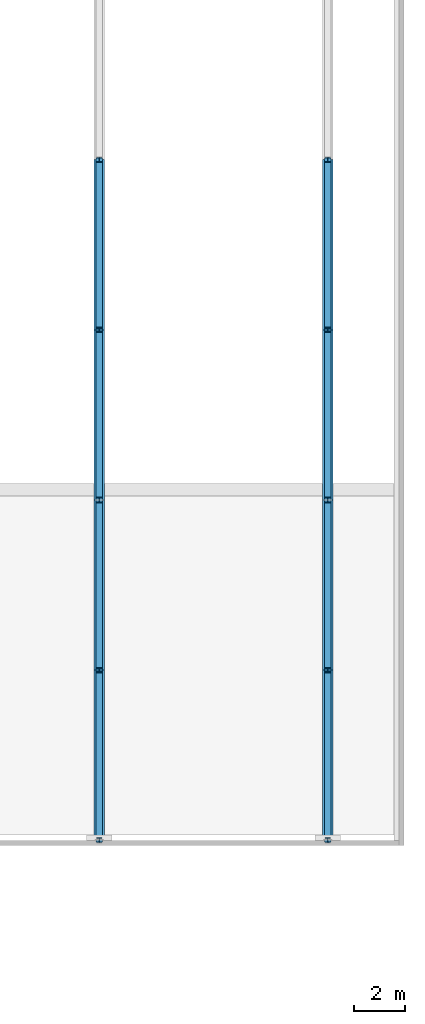
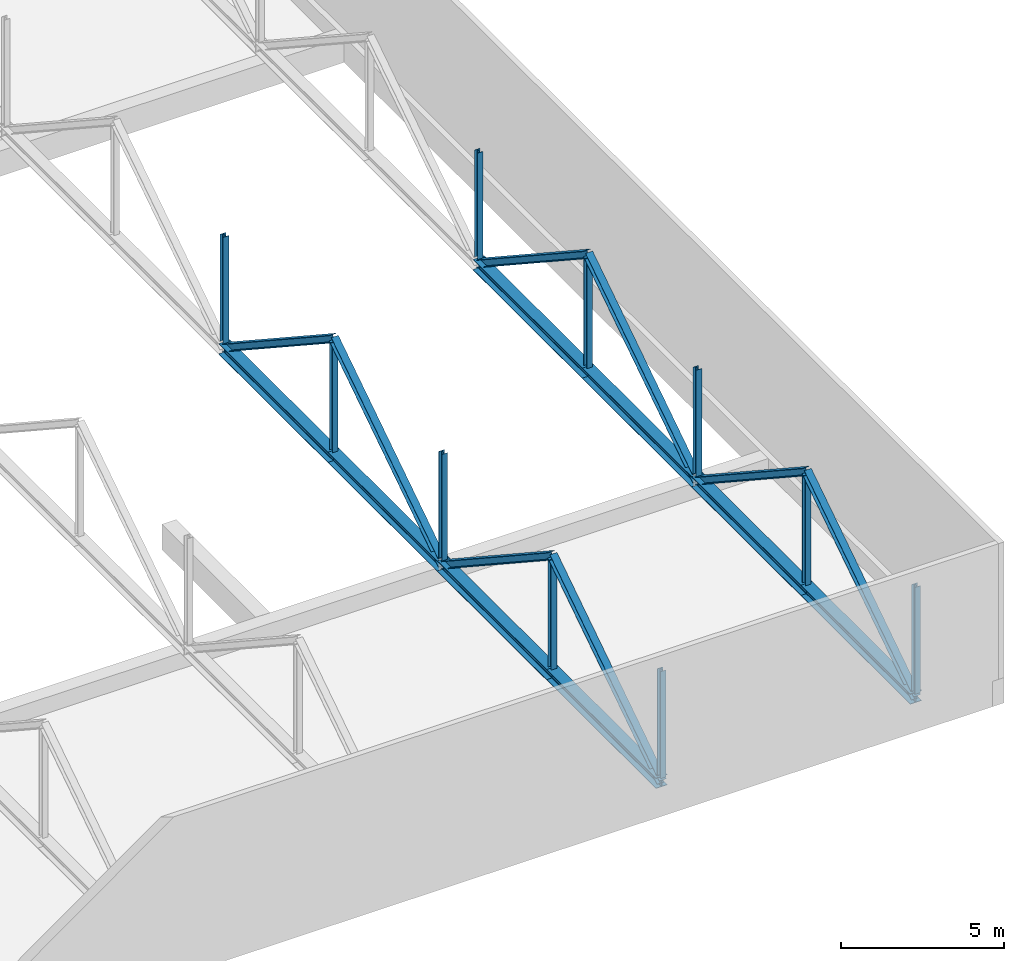
# One storey, part 15 of 49: 26 members.
"""IFC4 building model written with IfcOpenShell, lengths in metres."""

from ifc_helpers import new_model, si_unit, direction, frame, origin, origin_2d, place, context, subcontext, project, spatial, i_section, extrude, material, material_profile, profile_set, type_object, element, save


model = new_model("IFC4")

# Units and contexts
model_context = context("Model", 3, precision=1e-05, world=origin(), true_north=direction((0.0, 1.0)))
body_context = subcontext(model_context, "Body", "Model", "MODEL_VIEW")
ifc_project = project(units=[si_unit("LENGTHUNIT", "METRE"), si_unit("AREAUNIT", "SQUARE_METRE"), si_unit("VOLUMEUNIT", "CUBIC_METRE"), si_unit("PLANEANGLEUNIT", "RADIAN"), si_unit("MASSUNIT", "GRAM", prefix="KILO")], contexts=[model_context])

# Site, building, storey
site_placement = place(None, origin())
site = spatial("IfcSite", under=ifc_project, at=site_placement, CompositionType="ELEMENT")
building_placement = place(site_placement, origin())
building = spatial("IfcBuilding", under=site, at=building_placement, Name="Hunhe Ridgeline Campus", CompositionType="ELEMENT")
storey_placement = place(building_placement, frame((0.0, 0.0, 21.60009765625)))
storey = spatial("IfcBuildingStorey", under=building, at=storey_placement, Name="L04", CompositionType="ELEMENT", Elevation=21.60009765625)

# Members
ifc_material = material(Name="Steel Q355", Category="steel")
ifc_material_profile_1 = material_profile(ifc_material, i_section(OverallWidth=0.39990234375, OverallDepth=0.39990234375, WebThickness=0.012939453125, FlangeThickness=0.02099609375, FilletRadius=0.02197265625, at=origin_2d()))
ifc_profile_set_1 = profile_set([ifc_material_profile_1], Name="Steel Q355")
member_type_1 = type_object("IfcMemberType", Name="Roof truss chord HW400x400x13x21 Q355", PredefinedType="CHORD", material=ifc_profile_set_1)
member_1_placement = place(storey_placement, frame((198.0, 22.699951171875, 0.789794921875), z_axis=(0.0, 1.0, 0.0), x_axis=(-1.0, 0.0, 0.0)))
element("IfcMember", 1, at=member_1_placement, inside=storey, type_object=member_type_1, Name="Roof truss 6 bottom chord 1", PredefinedType="CHORD", context=body_context, shape_type="SweptSolid", body=[
    extrude(i_section(OverallWidth=0.39990234375, OverallDepth=0.39990234375, WebThickness=0.012939453125, FlangeThickness=0.02099609375, FilletRadius=0.02197265625, at=origin_2d()), origin(), (0.0, 0.0, 1.0), 6.699951171875),
])
member_2_placement = place(storey_placement, frame((198.0, 29.39990234375, 0.789794921875), z_axis=(0.0, 1.0, 0.0), x_axis=(-1.0, 0.0, 0.0)))
element("IfcMember", 2, at=member_2_placement, inside=storey, type_object=member_type_1, Name="Roof truss 6 bottom chord 2", PredefinedType="CHORD", context=body_context, shape_type="SweptSolid", body=[
    extrude(i_section(OverallWidth=0.39990234375, OverallDepth=0.39990234375, WebThickness=0.012939453125, FlangeThickness=0.02099609375, FilletRadius=0.02197265625, at=origin_2d()), origin(), (0.0, 0.0, 1.0), 6.7001953125),
])
for number, where, z_axis, x_axis, name in (
    (3, (198.0, 36.10009765625, 0.789794921875), (0.0, 1.0, 0.0), (-1.0, 0.0, 0.0), "Roof truss 6 bottom chord 3"),
    (4, (198.0, 42.800048828125, 0.789794921875), (0.0, 1.0, 0.0), (-1.0, 0.0, 0.0), "Roof truss 6 bottom chord 4"),
    (5, (207.0, 22.699951171875, 0.789794921875), (0.0, 1.0, 0.0), (-1.0, 0.0, 0.0), "Roof truss 7 bottom chord 1"),
):
    element("IfcMember", number, at=place(storey_placement, frame(where, z_axis=z_axis, x_axis=x_axis)), inside=storey, type_object=member_type_1, Name=name, PredefinedType="CHORD", context=body_context, shape_type="SweptSolid", body=[
        extrude(i_section(OverallWidth=0.39990234375, OverallDepth=0.39990234375, WebThickness=0.012939453125, FlangeThickness=0.02099609375, FilletRadius=0.02197265625, at=origin_2d()), origin(), (0.0, 0.0, 1.0), 6.699951171875),
    ])
member_3_placement = place(storey_placement, frame((207.0, 29.39990234375, 0.789794921875), z_axis=(0.0, 1.0, 0.0), x_axis=(-1.0, 0.0, 0.0)))
element("IfcMember", 6, at=member_3_placement, inside=storey, type_object=member_type_1, Name="Roof truss 7 bottom chord 2", PredefinedType="CHORD", context=body_context, shape_type="SweptSolid", body=[
    extrude(i_section(OverallWidth=0.39990234375, OverallDepth=0.39990234375, WebThickness=0.012939453125, FlangeThickness=0.02099609375, FilletRadius=0.02197265625, at=origin_2d()), origin(), (0.0, 0.0, 1.0), 6.7001953125),
])
for number, where, z_axis, x_axis, name in (
    (7, (207.0, 36.10009765625, 0.789794921875), (0.0, 1.0, 0.0), (-1.0, 0.0, 0.0), "Roof truss 7 bottom chord 3"),
    (8, (207.0, 42.800048828125, 0.789794921875), (0.0, 1.0, 0.0), (-1.0, 0.0, 0.0), "Roof truss 7 bottom chord 4"),
):
    element("IfcMember", number, at=place(storey_placement, frame(where, z_axis=z_axis, x_axis=x_axis)), inside=storey, type_object=member_type_1, Name=name, PredefinedType="CHORD", context=body_context, shape_type="SweptSolid", body=[
        extrude(i_section(OverallWidth=0.39990234375, OverallDepth=0.39990234375, WebThickness=0.012939453125, FlangeThickness=0.02099609375, FilletRadius=0.02197265625, at=origin_2d()), origin(), (0.0, 0.0, 1.0), 6.699951171875),
    ])
ifc_material_profile_2 = material_profile(ifc_material, i_section(OverallWidth=0.25, OverallDepth=0.25, WebThickness=0.009033203125, FlangeThickness=0.013916015625, FilletRadius=0.012939453125, at=origin_2d()))
ifc_profile_set_2 = profile_set([ifc_material_profile_2], Name="Steel Q355")
member_type_2 = type_object("IfcMemberType", Name="Roof truss diagonal HW250x250x9x14 Q355", PredefinedType="BRACE", material=ifc_profile_set_2)
member_4_placement = place(storey_placement, frame((198.0, 22.699951171875, 0.789794921875), z_axis=(0.0, 0.835858813721, 0.548944481277), x_axis=(-1.0, 0.0, 0.0)))
element("IfcMember", 9, at=member_4_placement, inside=storey, type_object=member_type_2, Name="Roof truss 6 diagonal 1", PredefinedType="BRACE", context=body_context, shape_type="SweptSolid", body=[
    extrude(i_section(OverallWidth=0.25, OverallDepth=0.25, WebThickness=0.009033203125, FlangeThickness=0.013916015625, FilletRadius=0.012939453125, at=origin_2d()), origin(), (0.0, 0.0, 1.0), 8.015625),
])
member_5_placement = place(storey_placement, frame((198.0, 29.39990234375, 5.18994140625), z_axis=(0.0, 0.835867991585, -0.548930506207), x_axis=(-1.0, 0.0, 0.0)))
element("IfcMember", 10, at=member_5_placement, inside=storey, type_object=member_type_2, Name="Roof truss 6 diagonal 2", PredefinedType="BRACE", context=body_context, shape_type="SweptSolid", body=[
    extrude(i_section(OverallWidth=0.25, OverallDepth=0.25, WebThickness=0.009033203125, FlangeThickness=0.013916015625, FilletRadius=0.012939453125, at=origin_2d()), origin(), (0.0, 0.0, 1.0), 8.015869140625),
])
for number, where, z_axis, x_axis, name in (
    (11, (198.0, 36.10009765625, 0.789794921875), (0.0, 0.835858813721, 0.548944481277), (-1.0, 0.0, 0.0), "Roof truss 6 diagonal 3"),
    (12, (198.0, 42.800048828125, 5.18994140625), (0.0, 0.835858813721, -0.548944481277), (-1.0, 0.0, 0.0), "Roof truss 6 diagonal 4"),
    (13, (207.0, 22.699951171875, 0.789794921875), (0.0, 0.835858813721, 0.548944481277), (-1.0, 0.0, 0.0), "Roof truss 7 diagonal 1"),
):
    element("IfcMember", number, at=place(storey_placement, frame(where, z_axis=z_axis, x_axis=x_axis)), inside=storey, type_object=member_type_2, Name=name, PredefinedType="BRACE", context=body_context, shape_type="SweptSolid", body=[
        extrude(i_section(OverallWidth=0.25, OverallDepth=0.25, WebThickness=0.009033203125, FlangeThickness=0.013916015625, FilletRadius=0.012939453125, at=origin_2d()), origin(), (0.0, 0.0, 1.0), 8.015625),
    ])
member_6_placement = place(storey_placement, frame((207.0, 29.39990234375, 5.18994140625), z_axis=(0.0, 0.835867991585, -0.548930506207), x_axis=(-1.0, 0.0, 0.0)))
element("IfcMember", 14, at=member_6_placement, inside=storey, type_object=member_type_2, Name="Roof truss 7 diagonal 2", PredefinedType="BRACE", context=body_context, shape_type="SweptSolid", body=[
    extrude(i_section(OverallWidth=0.25, OverallDepth=0.25, WebThickness=0.009033203125, FlangeThickness=0.013916015625, FilletRadius=0.012939453125, at=origin_2d()), origin(), (0.0, 0.0, 1.0), 8.015869140625),
])
for number, where, z_axis, x_axis, name in (
    (15, (207.0, 36.10009765625, 0.789794921875), (0.0, 0.835858813721, 0.548944481277), (-1.0, 0.0, 0.0), "Roof truss 7 diagonal 3"),
    (16, (207.0, 42.800048828125, 5.18994140625), (0.0, 0.835858813721, -0.548944481277), (-1.0, 0.0, 0.0), "Roof truss 7 diagonal 4"),
):
    element("IfcMember", number, at=place(storey_placement, frame(where, z_axis=z_axis, x_axis=x_axis)), inside=storey, type_object=member_type_2, Name=name, PredefinedType="BRACE", context=body_context, shape_type="SweptSolid", body=[
        extrude(i_section(OverallWidth=0.25, OverallDepth=0.25, WebThickness=0.009033203125, FlangeThickness=0.013916015625, FilletRadius=0.012939453125, at=origin_2d()), origin(), (0.0, 0.0, 1.0), 8.015625),
    ])
ifc_material_profile_3 = material_profile(ifc_material, i_section(OverallWidth=0.199951171875, OverallDepth=0.199951171875, WebThickness=0.008056640625, FlangeThickness=0.011962890625, FilletRadius=0.012939453125, at=origin_2d()))
ifc_profile_set_3 = profile_set([ifc_material_profile_3], Name="Steel Q355")
member_type_3 = type_object("IfcMemberType", Name="Roof truss post HW200x200x8x12 Q355", PredefinedType="POST", material=ifc_profile_set_3)
for number, where, z_axis, x_axis, name in (
    (17, (198.0, 22.699951171875, 0.989990234375), (0.0, 0.0, 1.0), (1.0, 0.0, 0.0), "Roof truss 6 post 0"),
    (18, (198.0, 29.39990234375, 0.989990234375), (0.0, 0.0, 1.0), (1.0, 0.0, 0.0), "Roof truss 6 post 1"),
    (19, (198.0, 36.10009765625, 0.989990234375), (0.0, 0.0, 1.0), (1.0, 0.0, 0.0), "Roof truss 6 post 2"),
    (20, (198.0, 42.800048828125, 0.989990234375), (0.0, 0.0, 1.0), (1.0, 0.0, 0.0), "Roof truss 6 post 3"),
    (21, (198.0, 49.5, 0.989990234375), (0.0, 0.0, 1.0), (1.0, 0.0, 0.0), "Roof truss 6 post 4"),
    (22, (207.0, 22.699951171875, 0.989990234375), (0.0, 0.0, 1.0), (1.0, 0.0, 0.0), "Roof truss 7 post 0"),
    (23, (207.0, 29.39990234375, 0.989990234375), (0.0, 0.0, 1.0), (1.0, 0.0, 0.0), "Roof truss 7 post 1"),
    (24, (207.0, 36.10009765625, 0.989990234375), (0.0, 0.0, 1.0), (1.0, 0.0, 0.0), "Roof truss 7 post 2"),
    (25, (207.0, 42.800048828125, 0.989990234375), (0.0, 0.0, 1.0), (1.0, 0.0, 0.0), "Roof truss 7 post 3"),
    (26, (207.0, 49.5, 0.989990234375), (0.0, 0.0, 1.0), (1.0, 0.0, 0.0), "Roof truss 7 post 4"),
):
    element("IfcMember", number, at=place(storey_placement, frame(where, z_axis=z_axis, x_axis=x_axis)), inside=storey, type_object=member_type_3, Name=name, PredefinedType="POST", context=body_context, shape_type="SweptSolid", body=[
        extrude(i_section(OverallWidth=0.199951171875, OverallDepth=0.199951171875, WebThickness=0.008056640625, FlangeThickness=0.011962890625, FilletRadius=0.012939453125, at=origin_2d()), origin(), (0.0, 0.0, 1.0), 4.0),
    ])

save(model, "model.ifc")
